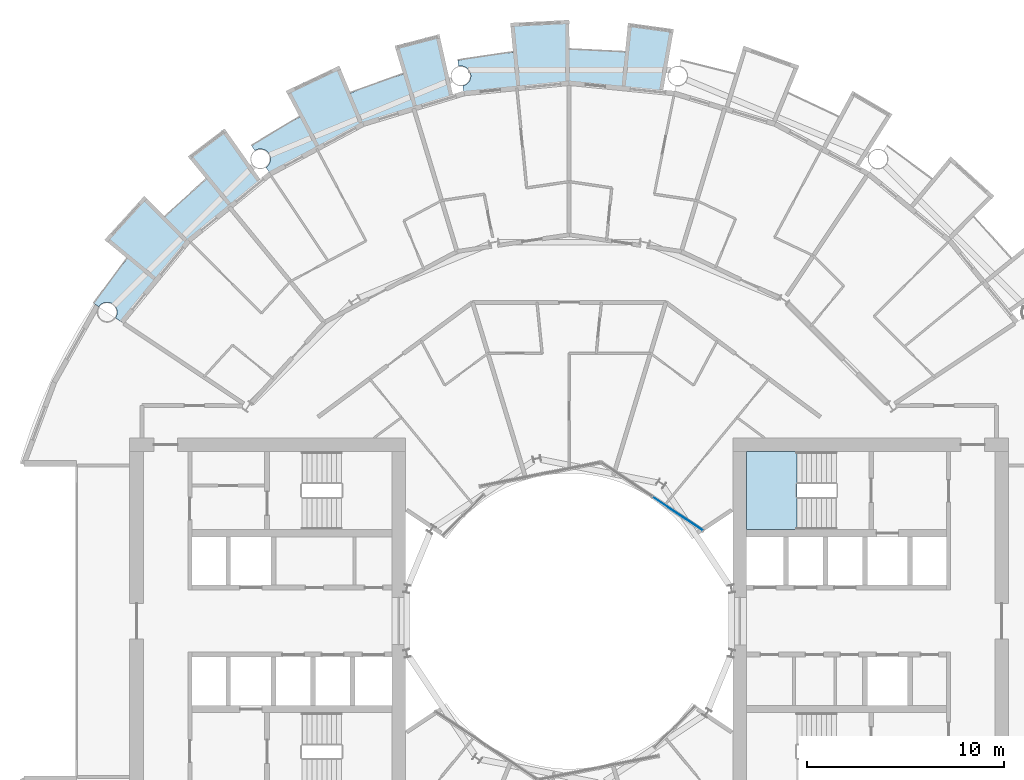
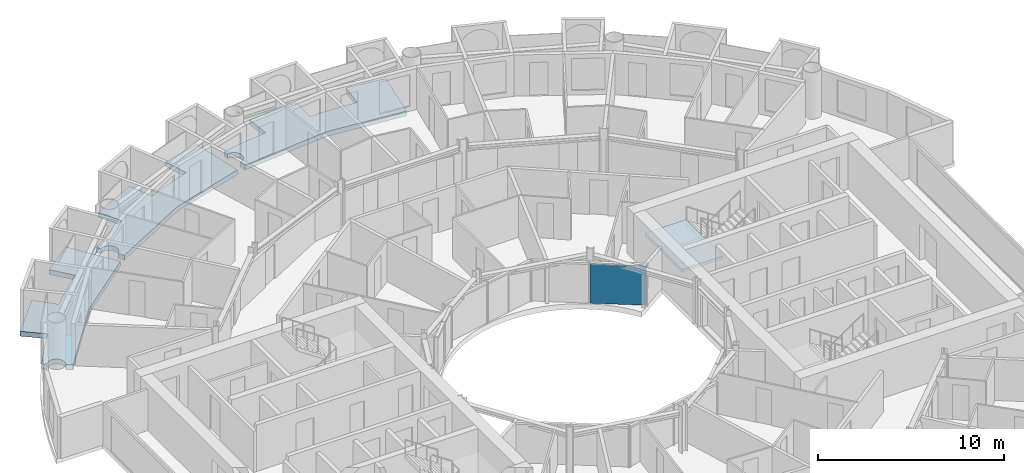
# One storey, part 11 of 26: 4 slabs, 1 plate, 2 elements without a shape of their own.
"""IFC4 building model written with IfcOpenShell, lengths in metres."""

from ifc_helpers import new_model, si_unit, direction, frame, origin, origin_2d, place, context, subcontext, project, spatial, polyline, rectangle, outline, extrude, material, layer, layer_set, type_object, element, aggregate, save


model = new_model("IFC4")

# Units and contexts
model_context = context("Model", 3, precision=1e-05, world=origin(), true_north=direction((0.0, 1.0)))
body_context = subcontext(model_context, "Body", "Model", "MODEL_VIEW")
ifc_project = project(units=[si_unit("LENGTHUNIT", "METRE"), si_unit("AREAUNIT", "SQUARE_METRE"), si_unit("VOLUMEUNIT", "CUBIC_METRE"), si_unit("PLANEANGLEUNIT", "RADIAN"), si_unit("MASSUNIT", "GRAM", prefix="KILO")], contexts=[model_context])

# Site, building, storey
site_placement = place(None, origin())
site = spatial("IfcSite", under=ifc_project, at=site_placement, CompositionType="ELEMENT")
building_placement = place(site_placement, origin())
building = spatial("IfcBuilding", under=site, at=building_placement, Name="Maasbend Ring Residences", CompositionType="ELEMENT")
storey_placement = place(building_placement, frame((0.0, 0.0, 75.800048828125)))
storey = spatial("IfcBuildingStorey", under=building, at=storey_placement, Name="L21", CompositionType="ELEMENT", Elevation=75.800048828125)

# Stair, slab
ifc_material_1 = material(Name="Concrete C40/50", Category="concrete")
stair_type = type_object("IfcStairType", Name="CORE STAIR 18 RISERS", PredefinedType="HALF_TURN_STAIR", material=ifc_material_1)
stair_placement = place(storey_placement, origin())
stair = element("IfcStair", 1, at=stair_placement, inside=storey, type_object=stair_type, Name="L21 Exit stair ST-E1", PredefinedType="HALF_TURN_STAIR")
ifc_material_2 = material(Name="Concrete C40/50", Category="concrete")
ifc_layer_1 = layer(ifc_material_2, 0.199951171875)
ifc_layer_set_1 = layer_set([ifc_layer_1], Name="Concrete C40/50")
slab_type_1 = type_object("IfcSlabType", Name="CORE STAIR LANDING 200", PredefinedType="LANDING", material=ifc_layer_set_1)
slab_1_placement = place(storey_placement, frame((0.0, 0.0, 1.324951171875)))
slab_1 = element("IfcSlab", 2, at=slab_1_placement, type_object=slab_type_1, Name="ST-E1 landing 1", PredefinedType="LANDING", context=body_context, shape_type="SweptSolid", body=[
    extrude(outline(polyline([(11.550048828125, 8.60009765625), (9.0, 8.60009765625), (9.0, 4.64990234375), (11.550048828125, 4.64990234375), (11.550048828125, 8.60009765625)])), origin(), (0.0, 0.0, 1.0), 0.199951171875),
])
aggregate(stair, [slab_1])

# Curtain wall, plate
ifc_material_3 = material(Name="Aluminium and clear glass", Category="aluminium")
ifc_layer_2 = layer(ifc_material_3, 0.179931640625)
ifc_layer_set_2 = layer_set([ifc_layer_2], Name="CW-W")
curtain_wall_type = type_object("IfcCurtainWallType", Name="CW-W", PredefinedType="NOTDEFINED", material=ifc_layer_set_2)
curtain_wall_placement = place(storey_placement, origin())
curtain_wall = element("IfcCurtainWall", 3, at=curtain_wall_placement, inside=storey, type_object=curtain_wall_type, Name="Well curtain wall N1", PredefinedType="NOTDEFINED")
ifc_material_4 = material(Name="Glass clear laminated", Category="glass")
ifc_layer_3 = layer(ifc_material_4, 0.031982421875)
ifc_layer_set_3 = layer_set([ifc_layer_3], Name="CWP-W")
plate_type = type_object("IfcPlateType", Name="CWP-W", PredefinedType="CURTAIN_PANEL", material=ifc_layer_set_3)
plate_placement = place(storey_placement, frame((5.51123046875, 5.44580078125, 0.0), z_axis=(0.0, 0.0, 1.0), x_axis=(-0.831469612303, 0.55557023302, 0.0)))
plate = element("IfcPlate", 4, at=plate_placement, type_object=plate_type, Name="Glass panel well face", PredefinedType="CURTAIN_PANEL", context=body_context, shape_type="SweptSolid", body=[
    extrude(rectangle(XDim=3.053955078125, YDim=0.031982421875, at=origin_2d()), origin(), (0.0, 0.0, 1.0), 2.580078125),
])
aggregate(curtain_wall, [plate])

# Slabs
ifc_material_5 = material(Name="Concrete C40/50", Category="concrete")
ifc_layer_4 = layer(ifc_material_5, 0.199951171875)
ifc_layer_set_4 = layer_set([ifc_layer_4], Name="Concrete C40/50")
slab_type_2 = type_object("IfcSlabType", Name="SL-LOGGIA", PredefinedType="FLOOR", material=ifc_layer_set_4)
slab_2_placement = place(storey_placement, frame((0.0, 0.0, -0.35009765625)))
element("IfcSlab", 5, at=slab_2_placement, inside=storey, type_object=slab_type_2, Name="Loggia floor 1", PredefinedType="FLOOR", context=body_context, shape_type="SweptSolid", body=[
    extrude(outline(polyline([(-14.5, 25.114990234375), (-13.6708984375, 25.574951171875), (-13.6708984375, 25.575927734375), (-13.6708984375, 25.575927734375), (-13.6708984375, 25.575927734375), (-13.6708984375, 25.575927734375), (-13.6708984375, 25.575927734375), (-13.6708984375, 25.575927734375), (-13.6708984375, 25.575927734375), (-13.6708984375, 25.575927734375), (-13.6708984375, 25.575927734375), (-13.6708984375, 25.575927734375), (-13.6708984375, 25.575927734375), (-13.6708984375, 25.575927734375), (-13.6708984375, 25.575927734375), (-13.6708984375, 25.575927734375), (-13.6708984375, 25.575927734375), (-13.6708984375, 25.575927734375), (-14.3779296875, 26.89892578125), (-14.3779296875, 26.89892578125), (-14.3779296875, 26.89892578125), (-11.672119140625, 28.177978515625), (-11.672119140625, 28.177978515625), (-11.672119140625, 28.177978515625), (-11.097900390625, 26.79296875), (-11.097900390625, 26.79296875), (-11.097900390625, 26.79296875), (-11.097900390625, 26.79296875), (-11.097900390625, 26.79296875), (-11.097900390625, 26.79296875), (-11.097900390625, 26.79296875), (-11.097900390625, 26.79296875), (-11.097900390625, 26.79296875), (-11.097900390625, 26.79296875), (-11.097900390625, 26.79296875), (-11.097900390625, 26.79296875), (-11.097900390625, 26.79296875), (-11.097900390625, 26.79296875), (-11.096923828125, 26.79296875), (-11.096923828125, 26.79296875), (-11.096923828125, 26.79296875), (-10.215087890625, 27.14111328125), (-10.215087890625, 27.14111328125), (-9.322021484375, 27.4609375), (-9.322021484375, 27.4609375), (-8.4189453125, 27.7509765625), (-8.4189453125, 27.7509765625), (-8.4189453125, 27.7509765625), (-8.4189453125, 27.7509765625), (-8.4189453125, 27.7509765625), (-8.4189453125, 27.7509765625), (-8.41796875, 27.7509765625), (-8.41796875, 27.7509765625), (-8.41796875, 27.7509765625), (-8.41796875, 27.7509765625), (-8.41796875, 27.7509765625), (-8.41796875, 27.751953125), (-8.41796875, 27.751953125), (-8.41796875, 27.751953125), (-8.41796875, 27.751953125), (-8.41796875, 27.751953125), (-8.41796875, 27.751953125), (-8.85400390625, 29.18701171875), (-8.85400390625, 29.18701171875), (-8.85400390625, 29.18701171875), (-6.593994140625, 29.779052734375), (-6.593994140625, 29.779052734375), (-6.593994140625, 29.779052734375), (-5.89111328125, 26.60400390625), (-5.89111328125, 26.60400390625), (-5.89111328125, 26.60400390625), (-7.886962890625, 25.9990234375), (-10.447021484375, 25.221923828125), (-10.447021484375, 25.221923828125), (-10.447021484375, 25.221923828125), (-12.806884765625, 23.9609375), (-15.1669921875, 22.698974609375), (-15.1669921875, 22.698974609375), (-15.1669921875, 22.698974609375), (-15.385009765625, 23.02490234375), (-15.375, 23.031982421875), (-15.364013671875, 23.0390625), (-15.35498046875, 23.047119140625), (-15.344970703125, 23.054931640625), (-15.3349609375, 23.06298828125), (-15.325927734375, 23.071044921875), (-15.31689453125, 23.0791015625), (-15.30810546875, 23.087890625), (-15.299072265625, 23.096923828125), (-15.291015625, 23.10595703125), (-15.281982421875, 23.115966796875), (-15.27392578125, 23.125), (-15.26708984375, 23.135009765625), (-15.259033203125, 23.14501953125), (-15.251953125, 23.155029296875), (-15.2451171875, 23.1650390625), (-15.238037109375, 23.176025390625), (-15.23095703125, 23.18603515625), (-15.22509765625, 23.197021484375), (-15.218994140625, 23.2080078125), (-15.212890625, 23.218994140625), (-15.2080078125, 23.22998046875), (-15.202880859375, 23.241943359375), (-15.197998046875, 23.2529296875), (-15.193115234375, 23.264892578125), (-15.18896484375, 23.27587890625), (-15.18505859375, 23.2880859375), (-15.180908203125, 23.300048828125), (-15.177978515625, 23.31201171875), (-15.174072265625, 23.323974609375), (-15.1708984375, 23.3359375), (-15.1689453125, 23.347900390625), (-15.1669921875, 23.361083984375), (-15.1650390625, 23.373046875), (-15.1630859375, 23.385009765625), (-15.162109375, 23.39794921875), (-15.159912109375, 23.409912109375), (-15.159912109375, 23.422119140625), (-15.158935546875, 23.43505859375), (-15.158935546875, 23.447021484375), (-15.158935546875, 23.4599609375), (-15.159912109375, 23.471923828125), (-15.159912109375, 23.485107421875), (-15.162109375, 23.4970703125), (-15.1630859375, 23.510009765625), (-15.1650390625, 23.52197265625), (-15.1669921875, 23.533935546875), (-15.1689453125, 23.547119140625), (-15.1708984375, 23.55908203125), (-15.174072265625, 23.571044921875), (-15.177978515625, 23.5830078125), (-15.180908203125, 23.594970703125), (-15.18505859375, 23.60693359375), (-15.18896484375, 23.618896484375), (-15.193115234375, 23.6298828125), (-15.197998046875, 23.64208984375), (-15.202880859375, 23.653076171875), (-15.2080078125, 23.6650390625), (-15.212890625, 23.676025390625), (-15.218994140625, 23.68701171875), (-15.22509765625, 23.697998046875), (-15.23095703125, 23.708984375), (-15.238037109375, 23.718994140625), (-15.2451171875, 23.72998046875), (-15.251953125, 23.739990234375), (-15.259033203125, 23.75), (-15.26708984375, 23.760009765625), (-15.27392578125, 23.77001953125), (-15.281982421875, 23.779052734375), (-15.291015625, 23.7890625), (-15.299072265625, 23.798095703125), (-15.30810546875, 23.806884765625), (-15.31689453125, 23.81494140625), (-15.325927734375, 23.823974609375), (-15.3349609375, 23.83203125), (-15.344970703125, 23.840087890625), (-15.35498046875, 23.847900390625), (-15.364013671875, 23.85498046875), (-15.375, 23.863037109375), (-15.385009765625, 23.8701171875), (-15.39501953125, 23.876953125), (-15.406005859375, 23.883056640625), (-15.4169921875, 23.888916015625), (-15.427978515625, 23.89501953125), (-15.43896484375, 23.90087890625), (-15.449951171875, 23.906982421875), (-15.4609375, 23.912109375), (-15.472900390625, 23.9169921875), (-15.48388671875, 23.9208984375), (-15.49609375, 23.926025390625), (-15.508056640625, 23.929931640625), (-15.52001953125, 23.93408203125), (-15.531982421875, 23.93701171875), (-15.5439453125, 23.93994140625), (-15.555908203125, 23.943115234375), (-15.568115234375, 23.946044921875), (-15.580078125, 23.947998046875), (-15.593017578125, 23.949951171875), (-15.60498046875, 23.951904296875), (-15.616943359375, 23.952880859375), (-15.6298828125, 23.9541015625), (-15.64208984375, 23.955078125), (-15.655029296875, 23.955078125), (-15.6669921875, 23.955078125), (-15.679931640625, 23.955078125), (-15.69189453125, 23.955078125), (-15.7041015625, 23.9541015625), (-15.717041015625, 23.952880859375), (-15.72900390625, 23.951904296875), (-15.741943359375, 23.949951171875), (-15.75390625, 23.947998046875), (-15.76611328125, 23.946044921875), (-15.778076171875, 23.943115234375), (-15.791015625, 23.93994140625), (-15.802978515625, 23.93701171875), (-15.81494140625, 23.93408203125), (-15.825927734375, 23.929931640625), (-15.837890625, 23.926025390625), (-15.85009765625, 23.9208984375), (-15.862060546875, 23.9169921875), (-15.873046875, 23.912109375), (-15.884033203125, 23.906982421875), (-15.89599609375, 23.90087890625), (-15.906982421875, 23.89501953125), (-15.9169921875, 23.888916015625), (-15.927978515625, 23.883056640625), (-15.93896484375, 23.876953125), (-15.948974609375, 23.8701171875), (-16.112060546875, 24.113037109375), (-16.112060546875, 24.113037109375), (-16.112060546875, 24.113037109375), (-15.31396484375, 24.626953125), (-15.31396484375, 24.626953125), (-14.5, 25.114990234375), (-14.5, 25.114990234375)])), origin(), (0.0, 0.0, 1.0), 0.320068359375),
])
slab_3_placement = place(storey_placement, frame((0.0, 0.0, -0.35009765625)))
element("IfcSlab", 6, at=slab_3_placement, inside=storey, type_object=slab_type_2, Name="Loggia floor 3", PredefinedType="FLOOR", context=body_context, shape_type="SweptSolid", body=[
    extrude(outline(polyline([(-3.784912109375, 28.751953125), (-2.843017578125, 28.860107421875), (-2.843017578125, 28.860107421875), (-2.843017578125, 28.860107421875), (-2.843017578125, 28.860107421875), (-2.843017578125, 28.860107421875), (-2.843017578125, 28.860107421875), (-2.843017578125, 28.860107421875), (-2.843017578125, 28.860107421875), (-2.843017578125, 28.860107421875), (-2.843017578125, 28.861083984375), (-2.843017578125, 28.861083984375), (-2.843017578125, 28.861083984375), (-2.843017578125, 28.861083984375), (-2.843017578125, 28.861083984375), (-2.843017578125, 28.861083984375), (-2.843017578125, 28.861083984375), (-2.843017578125, 28.861083984375), (-2.989990234375, 30.35302734375), (-2.989990234375, 30.35302734375), (-2.989990234375, 30.35302734375), (0.0, 30.5), (0.0, 30.5), (0.0, 30.5), (0.0, 29.0), (0.0, 29.0), (0.0, 29.0), (0.0, 29.0), (0.0, 29.0), (0.0, 29.0), (0.0, 29.0), (0.0, 29.0), (0.0, 29.0), (0.0, 29.0), (0.0, 29.0), (0.0, 29.0), (0.0, 29.0), (0.0, 29.0), (0.0, 29.0), (0.0, 29.0), (0.0, 29.0), (0.948974609375, 28.98388671875), (0.948974609375, 28.98388671875), (1.89697265625, 28.93798828125), (1.89697265625, 28.93798828125), (2.842041015625, 28.860107421875), (2.842041015625, 28.860107421875), (2.842041015625, 28.860107421875), (2.842041015625, 28.860107421875), (2.842041015625, 28.860107421875), (2.842041015625, 28.860107421875), (2.842041015625, 28.860107421875), (2.842041015625, 28.860107421875), (2.842041015625, 28.861083984375), (2.842041015625, 28.861083984375), (2.842041015625, 28.861083984375), (2.842041015625, 28.861083984375), (2.842041015625, 28.861083984375), (2.843017578125, 28.861083984375), (2.843017578125, 28.861083984375), (2.843017578125, 28.861083984375), (2.843017578125, 28.861083984375), (2.989990234375, 30.35302734375), (2.989990234375, 30.35302734375), (2.989990234375, 30.35302734375), (5.303955078125, 30.034912109375), (5.303955078125, 30.034912109375), (5.303955078125, 30.034912109375), (4.739013671875, 26.8330078125), (4.739013671875, 26.8330078125), (4.739013671875, 26.8330078125), (2.6630859375, 27.0380859375), (0.0, 27.300048828125), (0.0, 27.300048828125), (0.0, 27.300048828125), (-2.6630859375, 27.0380859375), (-5.325927734375, 26.77490234375), (-5.325927734375, 26.77490234375), (-5.325927734375, 26.77490234375), (-5.402099609375, 27.159912109375), (-5.402099609375, 27.159912109375), (-5.389892578125, 27.162109375), (-5.3779296875, 27.1650390625), (-5.365966796875, 27.1689453125), (-5.35400390625, 27.172119140625), (-5.342041015625, 27.176025390625), (-5.330078125, 27.179931640625), (-5.319091796875, 27.18408203125), (-5.306884765625, 27.18896484375), (-5.2958984375, 27.194091796875), (-5.283935546875, 27.198974609375), (-5.27294921875, 27.2041015625), (-5.261962890625, 27.2099609375), (-5.2509765625, 27.216064453125), (-5.239990234375, 27.221923828125), (-5.22998046875, 27.22900390625), (-5.218994140625, 27.236083984375), (-5.208984375, 27.242919921875), (-5.198974609375, 27.25), (-5.18896484375, 27.258056640625), (-5.178955078125, 27.264892578125), (-5.169921875, 27.27294921875), (-5.159912109375, 27.281982421875), (-5.15087890625, 27.2900390625), (-5.14208984375, 27.299072265625), (-5.134033203125, 27.30810546875), (-5.125, 27.31689453125), (-5.116943359375, 27.325927734375), (-5.10888671875, 27.3359375), (-5.10107421875, 27.345947265625), (-5.093017578125, 27.35498046875), (-5.0859375, 27.365966796875), (-5.0791015625, 27.3759765625), (-5.072021484375, 27.385986328125), (-5.06591796875, 27.39697265625), (-5.05908203125, 27.407958984375), (-5.052978515625, 27.4189453125), (-5.048095703125, 27.429931640625), (-5.0419921875, 27.44091796875), (-5.037109375, 27.451904296875), (-5.031982421875, 27.464111328125), (-5.028076171875, 27.47509765625), (-5.02294921875, 27.487060546875), (-5.01904296875, 27.4990234375), (-5.014892578125, 27.510986328125), (-5.011962890625, 27.52294921875), (-5.009033203125, 27.534912109375), (-5.006103515625, 27.547119140625), (-5.0029296875, 27.55908203125), (-5.0009765625, 27.571044921875), (-4.9990234375, 27.583984375), (-4.9970703125, 27.595947265625), (-4.99609375, 27.60791015625), (-4.9951171875, 27.62109375), (-4.993896484375, 27.633056640625), (-4.993896484375, 27.64599609375), (-4.993896484375, 27.657958984375), (-4.993896484375, 27.6708984375), (-4.993896484375, 27.68310546875), (-4.9951171875, 27.695068359375), (-4.99609375, 27.7080078125), (-4.9970703125, 27.719970703125), (-4.9990234375, 27.73291015625), (-5.0009765625, 27.7451171875), (-5.0029296875, 27.757080078125), (-5.006103515625, 27.76904296875), (-5.009033203125, 27.781982421875), (-5.011962890625, 27.7939453125), (-5.014892578125, 27.805908203125), (-5.01904296875, 27.81689453125), (-5.02294921875, 27.8291015625), (-5.028076171875, 27.841064453125), (-5.031982421875, 27.85302734375), (-5.037109375, 27.864013671875), (-5.0419921875, 27.875), (-5.048095703125, 27.886962890625), (-5.052978515625, 27.89794921875), (-5.05908203125, 27.907958984375), (-5.06591796875, 27.9189453125), (-5.072021484375, 27.929931640625), (-5.0791015625, 27.93994140625), (-5.0859375, 27.950927734375), (-5.093017578125, 27.9609375), (-5.10107421875, 27.970947265625), (-5.10888671875, 27.97998046875), (-5.116943359375, 27.989990234375), (-5.125, 27.9990234375), (-5.134033203125, 28.008056640625), (-5.14208984375, 28.01708984375), (-5.15087890625, 28.02587890625), (-5.159912109375, 28.034912109375), (-5.169921875, 28.04296875), (-5.178955078125, 28.051025390625), (-5.18896484375, 28.05908203125), (-5.198974609375, 28.06591796875), (-5.208984375, 28.072998046875), (-5.218994140625, 28.080078125), (-5.22998046875, 28.0869140625), (-5.239990234375, 28.093994140625), (-5.2509765625, 28.10009765625), (-5.261962890625, 28.10595703125), (-5.27294921875, 28.112060546875), (-5.283935546875, 28.116943359375), (-5.2958984375, 28.123046875), (-5.306884765625, 28.126953125), (-5.319091796875, 28.132080078125), (-5.330078125, 28.135986328125), (-5.342041015625, 28.139892578125), (-5.35400390625, 28.14404296875), (-5.365966796875, 28.14794921875), (-5.3779296875, 28.15087890625), (-5.389892578125, 28.154052734375), (-5.402099609375, 28.156005859375), (-5.4150390625, 28.158935546875), (-5.427001953125, 28.160888671875), (-5.43896484375, 28.162109375), (-5.451904296875, 28.1640625), (-5.464111328125, 28.1650390625), (-5.47705078125, 28.1650390625), (-5.489013671875, 28.166015625), (-5.501953125, 28.166015625), (-5.513916015625, 28.166015625), (-5.52587890625, 28.1650390625), (-5.5390625, 28.1650390625), (-5.551025390625, 28.1640625), (-5.56396484375, 28.162109375), (-5.575927734375, 28.160888671875), (-5.587890625, 28.158935546875), (-5.60107421875, 28.156005859375), (-5.60107421875, 28.156005859375), (-5.657958984375, 28.443115234375), (-5.657958984375, 28.443115234375), (-5.657958984375, 28.443115234375), (-4.72412109375, 28.613037109375), (-4.72412109375, 28.613037109375), (-3.784912109375, 28.751953125), (-3.784912109375, 28.751953125)])), origin(), (0.0, 0.0, 1.0), 0.320068359375),
])
slab_4_placement = place(storey_placement, frame((0.0, 0.0, -0.35009765625)))
element("IfcSlab", 7, at=slab_4_placement, inside=storey, type_object=slab_type_2, Name="Loggia floor 5", PredefinedType="FLOOR", context=body_context, shape_type="SweptSolid", body=[
    extrude(outline(polyline([(-23.007080078125, 17.654052734375), (-22.41796875, 18.39697265625), (-22.41796875, 18.39697265625), (-22.41796875, 18.39697265625), (-22.41796875, 18.39697265625), (-22.41796875, 18.39697265625), (-22.41796875, 18.39697265625), (-22.41796875, 18.39697265625), (-22.41796875, 18.39697265625), (-22.41796875, 18.39697265625), (-22.41796875, 18.39697265625), (-22.41796875, 18.39697265625), (-22.41796875, 18.39794921875), (-22.41796875, 18.39794921875), (-22.41796875, 18.39794921875), (-22.41796875, 18.39794921875), (-22.41796875, 18.39794921875), (-22.41796875, 18.39794921875), (-23.576904296875, 19.34912109375), (-23.576904296875, 19.34912109375), (-23.576904296875, 19.34912109375), (-21.56689453125, 21.56689453125), (-21.56689453125, 21.56689453125), (-21.56689453125, 21.56689453125), (-20.506103515625, 20.506103515625), (-20.506103515625, 20.506103515625), (-20.506103515625, 20.506103515625), (-20.506103515625, 20.506103515625), (-20.506103515625, 20.506103515625), (-20.506103515625, 20.506103515625), (-20.506103515625, 20.506103515625), (-20.506103515625, 20.506103515625), (-20.506103515625, 20.506103515625), (-20.506103515625, 20.506103515625), (-20.506103515625, 20.506103515625), (-20.506103515625, 20.506103515625), (-20.506103515625, 20.506103515625), (-20.506103515625, 20.506103515625), (-20.506103515625, 20.506103515625), (-20.506103515625, 20.506103515625), (-20.506103515625, 20.506103515625), (-19.823974609375, 21.166015625), (-19.823974609375, 21.166015625), (-19.12109375, 21.802978515625), (-19.12109375, 21.802978515625), (-18.39794921875, 22.4169921875), (-18.39794921875, 22.4169921875), (-18.39794921875, 22.4169921875), (-18.39794921875, 22.4169921875), (-18.39794921875, 22.4169921875), (-18.39794921875, 22.4169921875), (-18.39794921875, 22.4169921875), (-18.39794921875, 22.4169921875), (-18.39794921875, 22.4169921875), (-18.39794921875, 22.4169921875), (-18.39794921875, 22.4169921875), (-18.39794921875, 22.4169921875), (-18.39794921875, 22.41796875), (-18.39794921875, 22.41796875), (-18.39794921875, 22.41796875), (-18.39794921875, 22.41796875), (-18.39794921875, 22.41796875), (-19.34912109375, 23.576904296875), (-19.34912109375, 23.576904296875), (-19.34912109375, 23.576904296875), (-17.488037109375, 24.989013671875), (-17.488037109375, 24.989013671875), (-17.488037109375, 24.989013671875), (-15.623046875, 22.324951171875), (-15.623046875, 22.324951171875), (-15.623046875, 22.324951171875), (-17.236083984375, 21.001953125), (-19.303955078125, 19.303955078125), (-19.303955078125, 19.303955078125), (-19.303955078125, 19.303955078125), (-21.001953125, 17.236083984375), (-22.698974609375, 15.1669921875), (-22.698974609375, 15.1669921875), (-22.698974609375, 15.1669921875), (-23.02490234375, 15.385009765625), (-23.02490234375, 15.385009765625), (-23.01806640625, 15.39501953125), (-23.011962890625, 15.406005859375), (-23.0048828125, 15.4169921875), (-22.9990234375, 15.427978515625), (-22.993896484375, 15.43896484375), (-22.988037109375, 15.449951171875), (-22.98291015625, 15.4609375), (-22.97802734375, 15.472900390625), (-22.972900390625, 15.48388671875), (-22.968994140625, 15.49609375), (-22.965087890625, 15.508056640625), (-22.9609375, 15.52001953125), (-22.9580078125, 15.531982421875), (-22.955078125, 15.5439453125), (-22.951904296875, 15.555908203125), (-22.948974609375, 15.568115234375), (-22.947021484375, 15.580078125), (-22.945068359375, 15.593017578125), (-22.943115234375, 15.60498046875), (-22.94189453125, 15.616943359375), (-22.94091796875, 15.6298828125), (-22.93994140625, 15.64208984375), (-22.93994140625, 15.655029296875), (-22.93896484375, 15.6669921875), (-22.93994140625, 15.679931640625), (-22.93994140625, 15.69189453125), (-22.94091796875, 15.7041015625), (-22.94189453125, 15.717041015625), (-22.943115234375, 15.72900390625), (-22.945068359375, 15.741943359375), (-22.947021484375, 15.75390625), (-22.948974609375, 15.76611328125), (-22.951904296875, 15.778076171875), (-22.955078125, 15.791015625), (-22.9580078125, 15.802978515625), (-22.9609375, 15.81494140625), (-22.965087890625, 15.825927734375), (-22.968994140625, 15.837890625), (-22.972900390625, 15.85009765625), (-22.97802734375, 15.862060546875), (-22.98291015625, 15.873046875), (-22.988037109375, 15.884033203125), (-22.993896484375, 15.89599609375), (-22.9990234375, 15.906982421875), (-23.0048828125, 15.9169921875), (-23.011962890625, 15.927978515625), (-23.01806640625, 15.93896484375), (-23.02490234375, 15.948974609375), (-23.031982421875, 15.9599609375), (-23.0390625, 15.969970703125), (-23.047119140625, 15.97998046875), (-23.054931640625, 15.989013671875), (-23.06298828125, 15.9990234375), (-23.071044921875, 16.008056640625), (-23.0791015625, 16.01708984375), (-23.087890625, 16.02587890625), (-23.096923828125, 16.034912109375), (-23.10595703125, 16.0439453125), (-23.115966796875, 16.052001953125), (-23.125, 16.06005859375), (-23.135009765625, 16.068115234375), (-23.14501953125, 16.074951171875), (-23.155029296875, 16.08203125), (-23.1650390625, 16.089111328125), (-23.176025390625, 16.095947265625), (-23.18603515625, 16.10302734375), (-23.197021484375, 16.10888671875), (-23.2080078125, 16.114990234375), (-23.218994140625, 16.12109375), (-23.22998046875, 16.1259765625), (-23.241943359375, 16.132080078125), (-23.2529296875, 16.135986328125), (-23.264892578125, 16.14111328125), (-23.27587890625, 16.14501953125), (-23.2880859375, 16.14892578125), (-23.300048828125, 16.153076171875), (-23.31201171875, 16.156982421875), (-23.323974609375, 16.159912109375), (-23.3359375, 16.1630859375), (-23.347900390625, 16.1650390625), (-23.361083984375, 16.16796875), (-23.373046875, 16.169921875), (-23.385009765625, 16.1708984375), (-23.39794921875, 16.173095703125), (-23.409912109375, 16.174072265625), (-23.422119140625, 16.174072265625), (-23.43505859375, 16.175048828125), (-23.447021484375, 16.175048828125), (-23.4599609375, 16.175048828125), (-23.471923828125, 16.174072265625), (-23.485107421875, 16.174072265625), (-23.4970703125, 16.173095703125), (-23.510009765625, 16.1708984375), (-23.52197265625, 16.169921875), (-23.533935546875, 16.16796875), (-23.547119140625, 16.1650390625), (-23.55908203125, 16.1630859375), (-23.571044921875, 16.159912109375), (-23.5830078125, 16.156982421875), (-23.594970703125, 16.153076171875), (-23.60693359375, 16.14892578125), (-23.618896484375, 16.14501953125), (-23.6298828125, 16.14111328125), (-23.64208984375, 16.135986328125), (-23.653076171875, 16.132080078125), (-23.6650390625, 16.1259765625), (-23.676025390625, 16.12109375), (-23.68701171875, 16.114990234375), (-23.697998046875, 16.10888671875), (-23.708984375, 16.10302734375), (-23.718994140625, 16.095947265625), (-23.72998046875, 16.089111328125), (-23.739990234375, 16.08203125), (-23.75, 16.074951171875), (-23.760009765625, 16.068115234375), (-23.77001953125, 16.06005859375), (-23.779052734375, 16.052001953125), (-23.7890625, 16.0439453125), (-23.798095703125, 16.034912109375), (-23.806884765625, 16.02587890625), (-23.81494140625, 16.01708984375), (-23.823974609375, 16.008056640625), (-23.83203125, 15.9990234375), (-23.840087890625, 15.989013671875), (-23.847900390625, 15.97998046875), (-23.85498046875, 15.969970703125), (-23.863037109375, 15.9599609375), (-23.8701171875, 15.948974609375), (-23.8701171875, 15.948974609375), (-24.113037109375, 16.112060546875), (-24.113037109375, 16.112060546875), (-24.113037109375, 16.112060546875), (-23.572998046875, 16.89208984375), (-23.572998046875, 16.89208984375), (-23.007080078125, 17.654052734375), (-23.007080078125, 17.654052734375)])), origin(), (0.0, 0.0, 1.0), 0.320068359375),
])

save(model, "model.ifc")
